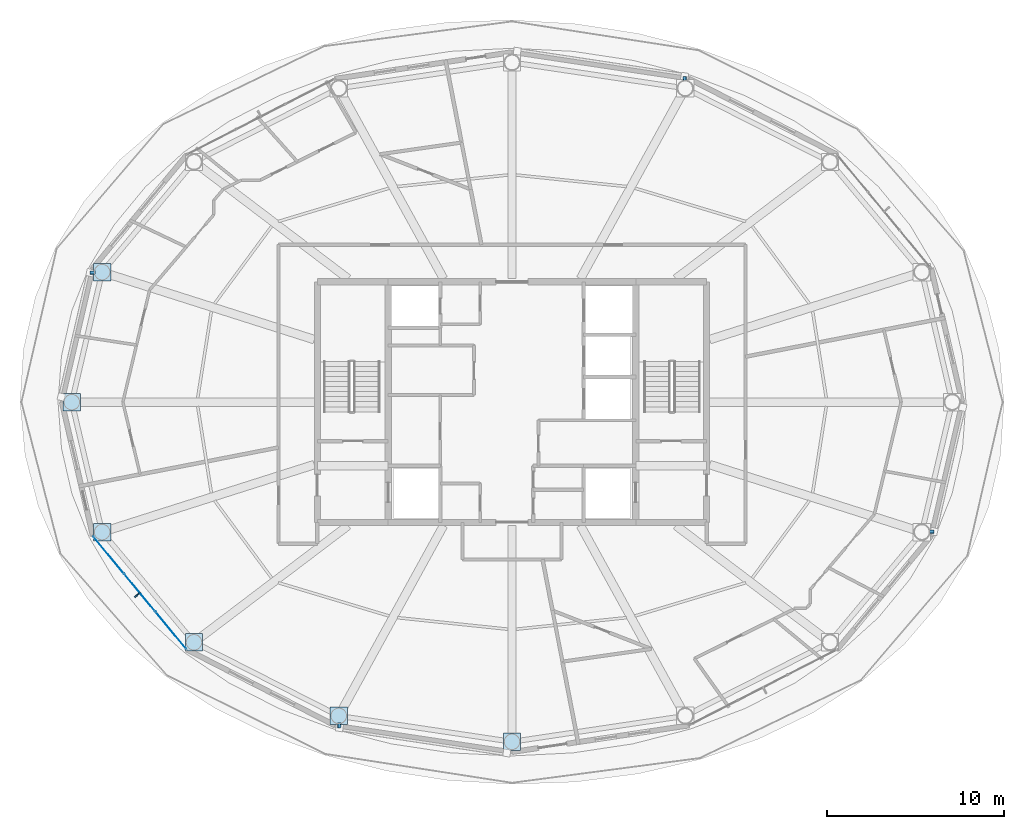
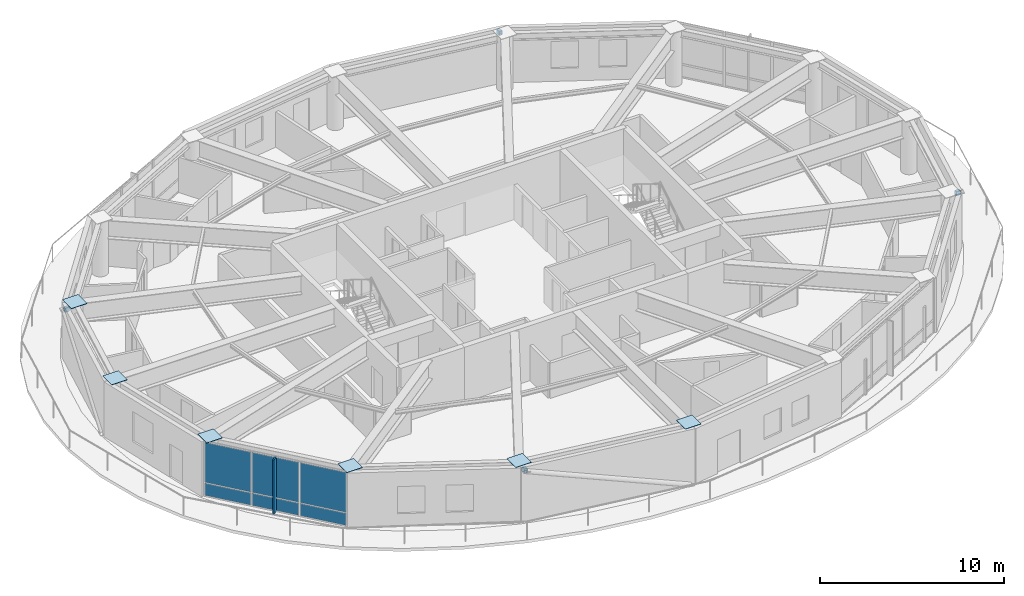
# One storey, part 15 of 24: 13 plates, 4 members, 1 element without a shape of its own.
"""IFC4 building model written with IfcOpenShell, lengths in metres."""

from ifc_helpers import new_model, si_unit, direction, frame, origin, origin_2d, place, context, subcontext, project, spatial, rectangle, hollow_rectangle, extrude, material, layer, layer_set, material_profile, profile_set, type_object, element, aggregate, save


model = new_model("IFC4")

# Units and contexts
model_context = context("Model", 3, precision=1e-05, world=origin(), true_north=direction((0.0, 1.0)))
body_context = subcontext(model_context, "Body", "Model", "MODEL_VIEW")
ifc_project = project(units=[si_unit("LENGTHUNIT", "METRE"), si_unit("AREAUNIT", "SQUARE_METRE"), si_unit("VOLUMEUNIT", "CUBIC_METRE"), si_unit("PLANEANGLEUNIT", "RADIAN"), si_unit("MASSUNIT", "GRAM", prefix="KILO")], contexts=[model_context])

# Site, building, storey
site_placement = place(None, origin())
site = spatial("IfcSite", under=ifc_project, at=site_placement, CompositionType="ELEMENT")
building_placement = place(site_placement, origin())
building = spatial("IfcBuilding", under=site, at=building_placement, Name="Sarneth Arch Tower", CompositionType="ELEMENT")
storey_placement = place(building_placement, frame((0.0, 0.0, 312.60009765625)))
storey = spatial("IfcBuildingStorey", under=building, at=storey_placement, Name="L81", CompositionType="ELEMENT", Elevation=312.60009765625)

# Members
ifc_material_1 = material(Name="Steel S355", Category="steel")
ifc_material_profile = material_profile(ifc_material_1, hollow_rectangle(XDim=0.199951171875, YDim=0.300048828125, WallThickness=0.012451171875, InnerFilletRadius=0.018798828125, OuterFilletRadius=0.03125, at=origin_2d()), Name="RHS300x200x12.5")
ifc_profile_set = profile_set([ifc_material_profile], Name="Steel S355")
member_type = type_object("IfcMemberType", Name="MEM-CANT-STRUT", PredefinedType="STRUT", material=ifc_profile_set)
member_1_placement = place(storey_placement, frame((57.768798828125, 60.142822265625, 3.362060546875), z_axis=(-0.05446449316, 0.998515707931, 0.0), x_axis=(-0.998515707931, -0.05446449316, 0.0)))
element("IfcMember", 1, at=member_1_placement, inside=storey, type_object=member_type, Name="L81 Exoskeleton brace node strut 04B", PredefinedType="STRUT", context=body_context, shape_type="SweptSolid", body=[
    extrude(hollow_rectangle(XDim=0.199951171875, YDim=0.300048828125, WallThickness=0.012451171875, InnerFilletRadius=0.018798828125, OuterFilletRadius=0.03125, at=origin_2d()), origin(), (0.0, 0.0, 1.0), 0.26904296875),
])
member_2_placement = place(storey_placement, frame((24.426513671875, 49.32861328125, 3.362060546875), z_axis=(-0.998880000755, -0.047315368457, 0.0), x_axis=(0.047315368457, -0.998880000755, 0.0)))
element("IfcMember", 2, at=member_2_placement, inside=storey, type_object=member_type, Name="L81 Exoskeleton brace node strut 08B", PredefinedType="STRUT", context=body_context, shape_type="SweptSolid", body=[
    extrude(hollow_rectangle(XDim=0.199951171875, YDim=0.300048828125, WallThickness=0.012451171875, InnerFilletRadius=0.018798828125, OuterFilletRadius=0.03125, at=origin_2d()), origin(), (0.0, 0.0, 1.0), 0.278564453125),
])
member_3_placement = place(storey_placement, frame((38.231201171875, 23.857177734375, 3.362060546875), z_axis=(0.05446449316, -0.998515707931, 0.0), x_axis=(0.998515707931, 0.05446449316, 0.0)))
element("IfcMember", 3, at=member_3_placement, inside=storey, type_object=member_type, Name="L81 Exoskeleton brace node strut 12B", PredefinedType="STRUT", context=body_context, shape_type="SweptSolid", body=[
    extrude(hollow_rectangle(XDim=0.199951171875, YDim=0.300048828125, WallThickness=0.012451171875, InnerFilletRadius=0.018798828125, OuterFilletRadius=0.03125, at=origin_2d()), origin(), (0.0, 0.0, 1.0), 0.26904296875),
])
member_4_placement = place(storey_placement, frame((71.573486328125, 34.67138671875, 3.362060546875), z_axis=(0.998880000755, 0.047315368457, 0.0), x_axis=(-0.047315368457, 0.998880000755, 0.0)))
element("IfcMember", 4, at=member_4_placement, inside=storey, type_object=member_type, Name="L81 Exoskeleton brace node strut 16B", PredefinedType="STRUT", context=body_context, shape_type="SweptSolid", body=[
    extrude(hollow_rectangle(XDim=0.199951171875, YDim=0.300048828125, WallThickness=0.012451171875, InnerFilletRadius=0.018798828125, OuterFilletRadius=0.03125, at=origin_2d()), origin(), (0.0, 0.0, 1.0), 0.278564453125),
])

# Curtain wall, plates
ifc_material_2 = material(Name="Anodised aluminium Type AA25 and solar-control low-e laminated IGU", Category="aluminium")
ifc_layer_1 = layer(ifc_material_2, 0.179931640625)
ifc_layer_set_1 = layer_set([ifc_layer_1], Name="Anodised aluminium Type AA25 and solar-control low-e laminated IGU")
curtain_wall_type = type_object("IfcCurtainWallType", Name="CW-RES-HIGH", PredefinedType="NOTDEFINED", material=ifc_layer_set_1)
curtain_wall_placement = place(storey_placement, origin())
curtain_wall = element("IfcCurtainWall", 5, at=curtain_wall_placement, inside=storey, type_object=curtain_wall_type, Name="L81 Unitised curtain wall facet 10", PredefinedType="NOTDEFINED")
ifc_material_3 = material(Name="Solar-control low-e laminated IGU", Category="glass")
ifc_layer_2 = layer(ifc_material_3, 0.028076171875)
ifc_layer_set_2 = layer_set([ifc_layer_2], Name="Solar-control low-e laminated IGU")
plate_type_1 = type_object("IfcPlateType", Name="CW-PANEL", PredefinedType="CURTAIN_PANEL", material=ifc_layer_set_2)
plate_1_placement = place(storey_placement, frame((25.200927734375, 33.349365234375, 0.059814453125), z_axis=(0.0, 0.0, 1.0), x_axis=(0.637610094184, -0.770359245933, 0.0)))
plate_1 = element("IfcPlate", 6, at=plate_1_placement, type_object=plate_type_1, Name="Curtain wall glazed vision pane CW-L81-F10/P00-00", PredefinedType="CURTAIN_PANEL", context=body_context, shape_type="SweptSolid", body=[
    extrude(rectangle(XDim=2.686767578125, YDim=0.028076171875, at=origin_2d()), origin(), (0.0, 0.0, 1.0), 0.81005859375),
])
plate_2_placement = place(storey_placement, frame((25.200927734375, 33.349365234375, 0.929931640625), z_axis=(0.0, 0.0, 1.0), x_axis=(0.637610094184, -0.770359245933, 0.0)))
plate_2 = element("IfcPlate", 7, at=plate_2_placement, type_object=plate_type_1, Name="Curtain wall glazed vision pane CW-L81-F10/P00-01", PredefinedType="CURTAIN_PANEL", context=body_context, shape_type="SweptSolid", body=[
    extrude(rectangle(XDim=2.686767578125, YDim=0.028076171875, at=origin_2d()), origin(), (0.0, 0.0, 1.0), 2.64990234375),
])
plate_3_placement = place(storey_placement, frame((26.9619140625, 31.221923828125, 0.059814453125), z_axis=(0.0, 0.0, 1.0), x_axis=(0.637610094184, -0.770359245933, 0.0)))
plate_3 = element("IfcPlate", 8, at=plate_3_placement, type_object=plate_type_1, Name="Curtain wall glazed vision pane CW-L81-F10/P01-00", PredefinedType="CURTAIN_PANEL", context=body_context, shape_type="SweptSolid", body=[
    extrude(rectangle(XDim=2.716552734375, YDim=0.028076171875, at=origin_2d()), origin(), (0.0, 0.0, 1.0), 0.81005859375),
])
plate_4_placement = place(storey_placement, frame((26.9619140625, 31.221923828125, 0.929931640625), z_axis=(0.0, 0.0, 1.0), x_axis=(0.637610094184, -0.770359245933, 0.0)))
plate_4 = element("IfcPlate", 9, at=plate_4_placement, type_object=plate_type_1, Name="Curtain wall glazed vision pane CW-L81-F10/P01-01", PredefinedType="CURTAIN_PANEL", context=body_context, shape_type="SweptSolid", body=[
    extrude(rectangle(XDim=2.716552734375, YDim=0.028076171875, at=origin_2d()), origin(), (0.0, 0.0, 1.0), 2.64990234375),
])
plate_5_placement = place(storey_placement, frame((28.72265625, 29.094482421875, 0.059814453125), z_axis=(0.0, 0.0, 1.0), x_axis=(0.637610094184, -0.770359245933, 0.0)))
plate_5 = element("IfcPlate", 10, at=plate_5_placement, type_object=plate_type_1, Name="Curtain wall glazed vision pane CW-L81-F10/P02-00", PredefinedType="CURTAIN_PANEL", context=body_context, shape_type="SweptSolid", body=[
    extrude(rectangle(XDim=2.686767578125, YDim=0.028076171875, at=origin_2d()), origin(), (0.0, 0.0, 1.0), 0.81005859375),
])
plate_6_placement = place(storey_placement, frame((28.72265625, 29.094482421875, 0.929931640625), z_axis=(0.0, 0.0, 1.0), x_axis=(0.637610094184, -0.770359245933, 0.0)))
plate_6 = element("IfcPlate", 11, at=plate_6_placement, type_object=plate_type_1, Name="Curtain wall glazed vision pane CW-L81-F10/P02-01", PredefinedType="CURTAIN_PANEL", context=body_context, shape_type="SweptSolid", body=[
    extrude(rectangle(XDim=2.686767578125, YDim=0.028076171875, at=origin_2d()), origin(), (0.0, 0.0, 1.0), 2.64990234375),
])
aggregate(curtain_wall, [plate_1, plate_2, plate_3, plate_4, plate_5, plate_6])

# Plates
ifc_material_4 = material(Name="Steel S355", Category="steel")
ifc_layer_3 = layer(ifc_material_4, 0.0400390625)
ifc_layer_set_3 = layer_set([ifc_layer_3], Name="Steel S355")
plate_type_2 = type_object("IfcPlateType", Name="PLT-SPLICE-40", PredefinedType="SHEET", material=ifc_layer_set_3)
for number, where, z_axis, x_axis, name in (
    (12, (24.8310546875, 49.347412109375, 3.6220703125), (0.0, 0.0, 1.0), (1.0, 0.0, 0.0), "Steel end cap plate GP-2"),
    (13, (23.11669921875, 42.0, 3.6220703125), (0.0, 0.0, 1.0), (1.0, 0.0, 0.0), "Steel end cap plate GP-2"),
    (14, (24.8310546875, 34.652587890625, 3.6220703125), (0.0, 0.0, 1.0), (1.0, 0.0, 0.0), "Steel end cap plate GP-2"),
    (15, (30.024658203125, 28.423583984375, 3.6220703125), (0.0, 0.0, 1.0), (1.0, 0.0, 0.0), "Steel end cap plate GP-2"),
    (16, (38.209228515625, 24.261474609375, 3.6220703125), (0.0, 0.0, 1.0), (1.0, 0.0, 0.0), "Steel end cap plate GP-2"),
    (17, (48.0, 22.800048828125, 3.6220703125), (0.0, 0.0, 1.0), (1.0, 0.0, 0.0), "Steel end cap plate GP-2"),
):
    element("IfcPlate", number, at=place(storey_placement, frame(where, z_axis=z_axis, x_axis=x_axis)), inside=storey, type_object=plate_type_2, Name=name, PredefinedType="SHEET", context=body_context, shape_type="SweptSolid", body=[
        extrude(rectangle(XDim=0.97998046875, YDim=0.97998046875, at=origin_2d()), origin(), (0.0, 0.0, 1.0), 0.035888671875),
    ])
ifc_material_5 = material(Name="Extruded glazed terracotta baguette fin on Aluminium 6063-T6 carrier", Category="masonry")
ifc_layer_4 = layer(ifc_material_5, 0.080078125)
ifc_layer_set_4 = layer_set([ifc_layer_4], Name="Extruded glazed terracotta baguette fin on Aluminium 6063-T6 carrier")
plate_type_3 = type_object("IfcPlateType", Name="SHADE-TERRA-FIN", PredefinedType="SHEET", material=ifc_layer_set_4)
plate_7_placement = place(storey_placement, frame((26.830810546875, 31.113525390625, 0.009765625), z_axis=(0.0, 0.0, 1.0), x_axis=(-0.770401979567, -0.63755845997, 0.0)))
element("IfcPlate", 18, at=plate_7_placement, inside=storey, type_object=plate_type_3, Name="L81 Terracotta vertical shading fin 10", PredefinedType="SHEET", context=body_context, shape_type="SweptSolid", body=[
    extrude(rectangle(XDim=0.419921875, YDim=0.080078125, at=origin_2d()), origin(), (0.0, 0.0, 1.0), 3.6201171875),
])

save(model, "model.ifc")
